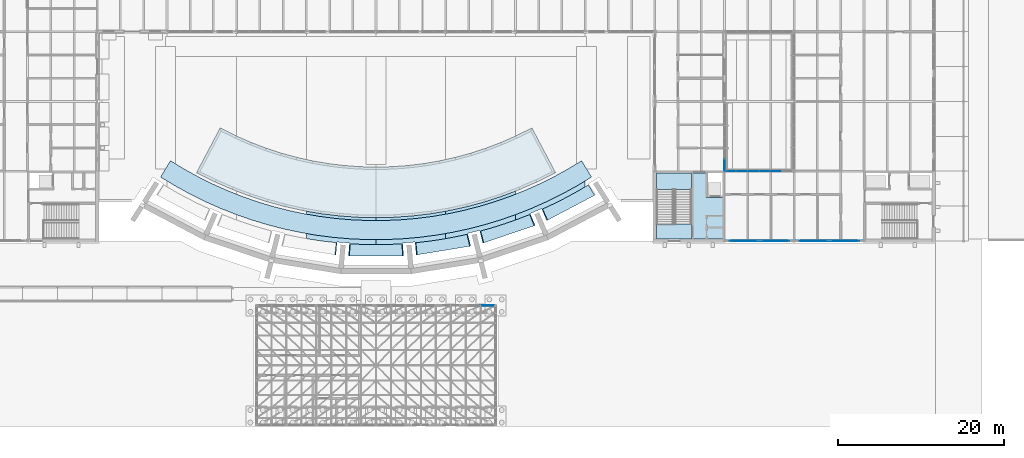
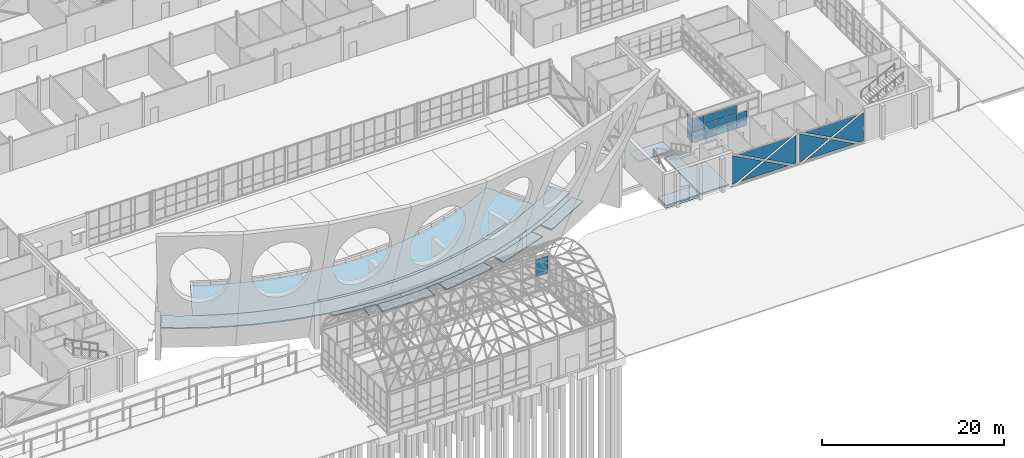
# One storey, part 74 of 116: 26 plates, 17 slabs, 6 elements without a shape of their own.
"""IFC4 building model written with IfcOpenShell, lengths in metres."""

from ifc_helpers import new_model, si_unit, direction, frame, origin, origin_2d, place, context, subcontext, project, spatial, polyline, rectangle, outline, extrude, material, layer, layer_set, type_object, element, aggregate, save


model = new_model("IFC4")

# Units and contexts
model_context = context("Model", 3, precision=1e-05, world=origin(), true_north=direction((0.0, 1.0)))
body_context = subcontext(model_context, "Body", "Model", "MODEL_VIEW")
ifc_project = project(units=[si_unit("LENGTHUNIT", "METRE"), si_unit("AREAUNIT", "SQUARE_METRE"), si_unit("VOLUMEUNIT", "CUBIC_METRE"), si_unit("PLANEANGLEUNIT", "RADIAN"), si_unit("MASSUNIT", "GRAM", prefix="KILO")], contexts=[model_context])

# Site, building, storey
site_placement = place(None, origin())
site = spatial("IfcSite", under=ifc_project, at=site_placement, CompositionType="ELEMENT")
building_placement = place(site_placement, origin())
building = spatial("IfcBuilding", under=site, at=building_placement, Name="Ardhachandra Cancer Care Centre", CompositionType="ELEMENT")
storey_placement = place(building_placement, origin())
storey = spatial("IfcBuildingStorey", under=building, at=storey_placement, Name="L00", CompositionType="ELEMENT", Elevation=0.0)

# Slabs
ifc_material_1 = material(Name="Concrete M40", Category="concrete")
ifc_layer_1 = layer(ifc_material_1, 0.14990234375)
ifc_layer_set_1 = layer_set([ifc_layer_1], Name="Concrete M40")
slab_type_1 = type_object("IfcSlabType", Name="Core floor slab 150", PredefinedType="FLOOR", material=ifc_layer_set_1)
slab_1_placement = place(storey_placement, frame((0.0, 0.0, -0.14990234375)))
element("IfcSlab", 1, at=slab_1_placement, inside=storey, type_object=slab_type_1, Name="Core floor slab K11 L00 1", PredefinedType="FLOOR", context=body_context, shape_type="SweptSolid", body=[
    extrude(outline(polyline([(111.824951171875, 31.39990234375), (116.02490234375, 31.39990234375), (116.02490234375, 29.625), (111.824951171875, 29.625), (111.824951171875, 31.39990234375)])), origin(), (0.0, 0.0, 1.0), 0.14990234375),
])
slab_2_placement = place(storey_placement, frame((0.0, 0.0, -0.14990234375)))
element("IfcSlab", 2, at=slab_2_placement, inside=storey, type_object=slab_type_1, Name="Core floor slab K11 L00 2", PredefinedType="FLOOR", context=body_context, shape_type="SweptSolid", body=[
    extrude(outline(polyline([(116.22509765625, 29.625), (116.22509765625, 37.60009765625), (117.75, 37.60009765625), (117.75, 34.64990234375), (117.949951171875, 34.64990234375), (119.800048828125, 34.64990234375), (119.800048828125, 29.625), (116.22509765625, 29.625)])), origin(), (0.0, 0.0, 1.0), 0.14990234375),
])
ifc_material_2 = material(Name="Concrete M40", Category="concrete")
ifc_layer_2 = layer(ifc_material_2, 0.300048828125)
ifc_layer_set_2 = layer_set([ifc_layer_2], Name="Concrete M40")
slab_type_2 = type_object("IfcSlabType", Name="Core stair edge slab 300", PredefinedType="FLOOR", material=ifc_layer_set_2)
slab_3_placement = place(storey_placement, frame((0.0, 0.0, -0.449951171875)))
element("IfcSlab", 3, at=slab_3_placement, inside=storey, type_object=slab_type_2, Name="Core stair edge slab K11 L00", PredefinedType="FLOOR", context=body_context, shape_type="SweptSolid", body=[
    extrude(outline(polyline([(116.02490234375, 31.39990234375), (116.02490234375, 29.625), (111.824951171875, 29.625), (111.824951171875, 31.39990234375), (116.02490234375, 31.39990234375)])), origin(), (0.0, 0.0, 1.0), 0.300048828125),
])

# Curtain wall, plates
ifc_material_3 = material(Name="Aluminium extrusion", Category="aluminium")
ifc_layer_3 = layer(ifc_material_3, 0.14990234375)
ifc_layer_set_3 = layer_set([ifc_layer_3], Name="Aluminium extrusion")
curtain_wall_type = type_object("IfcCurtainWallType", Name="Curtain wall run", PredefinedType="NOTDEFINED", material=ifc_layer_set_3)
curtain_wall_1_placement = place(storey_placement, origin())
curtain_wall_1 = element("IfcCurtainWall", 4, at=curtain_wall_1_placement, inside=storey, type_object=curtain_wall_type, Name="Curtain wall L00 e/0120000_0037800", PredefinedType="NOTDEFINED")
ifc_material_4 = material(Name="Low-iron double-glazed unit")
ifc_layer_4 = layer(ifc_material_4, 0.028076171875)
ifc_layer_set_4 = layer_set([ifc_layer_4], Name="Low-iron double-glazed unit")
plate_type_1 = type_object("IfcPlateType", Name="Curtain wall glazing 28", PredefinedType="CURTAIN_PANEL", material=ifc_layer_set_4)
plate_1_placement = place(storey_placement, frame((120.0, 38.50244140625, 1.3798828125), z_axis=(0.0, 0.0, 1.0), x_axis=(0.0, 1.0, 0.0)))
plate_1 = element("IfcPlate", 5, at=plate_1_placement, type_object=plate_type_1, Name="CW panel 1.2", PredefinedType="CURTAIN_PANEL", context=body_context, shape_type="SweptSolid", body=[
    extrude(rectangle(XDim=1.284912109375, YDim=0.028076171875, at=origin_2d()), origin(), (0.0, 0.0, 1.0), 1.139892578125),
])
plate_2_placement = place(storey_placement, frame((120.0, 38.50244140625, 2.580078125), z_axis=(0.0, 0.0, 1.0), x_axis=(0.0, 1.0, 0.0)))
plate_2 = element("IfcPlate", 6, at=plate_2_placement, type_object=plate_type_1, Name="CW panel 1.3", PredefinedType="CURTAIN_PANEL", context=body_context, shape_type="SweptSolid", body=[
    extrude(rectangle(XDim=1.284912109375, YDim=0.028076171875, at=origin_2d()), origin(), (0.0, 0.0, 1.0), 1.159912109375),
])

curtain_wall_2_placement = place(storey_placement, origin())
curtain_wall_2 = element("IfcCurtainWall", 7, at=curtain_wall_2_placement, inside=storey, type_object=curtain_wall_type, Name="Curtain wall L00 n/0120000_0037800", PredefinedType="NOTDEFINED")
plate_3_placement = place(storey_placement, frame((120.702392578125, 37.800048828125, 1.3798828125), z_axis=(0.0, 0.0, 1.0), x_axis=(1.0, 0.0, 0.0)))
plate_3 = element("IfcPlate", 8, at=plate_3_placement, type_object=plate_type_1, Name="CW panel 1.2", PredefinedType="CURTAIN_PANEL", context=body_context, shape_type="SweptSolid", body=[
    extrude(rectangle(XDim=1.284912109375, YDim=0.028076171875, at=origin_2d()), origin(), (0.0, 0.0, 1.0), 1.139892578125),
])
plate_4_placement = place(storey_placement, frame((120.702392578125, 37.800048828125, 2.580078125), z_axis=(0.0, 0.0, 1.0), x_axis=(1.0, 0.0, 0.0)))
plate_4 = element("IfcPlate", 9, at=plate_4_placement, type_object=plate_type_1, Name="CW panel 1.3", PredefinedType="CURTAIN_PANEL", context=body_context, shape_type="SweptSolid", body=[
    extrude(rectangle(XDim=1.284912109375, YDim=0.028076171875, at=origin_2d()), origin(), (0.0, 0.0, 1.0), 1.159912109375),
])
plate_5_placement = place(storey_placement, frame((122.0625, 37.800048828125, 1.3798828125), z_axis=(0.0, 0.0, 1.0), x_axis=(1.0, 0.0, 0.0)))
plate_5 = element("IfcPlate", 10, at=plate_5_placement, type_object=plate_type_1, Name="CW panel 2.2", PredefinedType="CURTAIN_PANEL", context=body_context, shape_type="SweptSolid", body=[
    extrude(rectangle(XDim=1.31494140625, YDim=0.028076171875, at=origin_2d()), origin(), (0.0, 0.0, 1.0), 1.139892578125),
])
plate_6_placement = place(storey_placement, frame((122.0625, 37.800048828125, 2.580078125), z_axis=(0.0, 0.0, 1.0), x_axis=(1.0, 0.0, 0.0)))
plate_6 = element("IfcPlate", 11, at=plate_6_placement, type_object=plate_type_1, Name="CW panel 2.3", PredefinedType="CURTAIN_PANEL", context=body_context, shape_type="SweptSolid", body=[
    extrude(rectangle(XDim=1.31494140625, YDim=0.028076171875, at=origin_2d()), origin(), (0.0, 0.0, 1.0), 1.159912109375),
])
plate_7_placement = place(storey_placement, frame((123.4375, 37.800048828125, 1.3798828125), z_axis=(0.0, 0.0, 1.0), x_axis=(1.0, 0.0, 0.0)))
plate_7 = element("IfcPlate", 12, at=plate_7_placement, type_object=plate_type_1, Name="CW panel 3.2", PredefinedType="CURTAIN_PANEL", context=body_context, shape_type="SweptSolid", body=[
    extrude(rectangle(XDim=1.31494140625, YDim=0.028076171875, at=origin_2d()), origin(), (0.0, 0.0, 1.0), 1.139892578125),
])
plate_8_placement = place(storey_placement, frame((123.4375, 37.800048828125, 2.580078125), z_axis=(0.0, 0.0, 1.0), x_axis=(1.0, 0.0, 0.0)))
plate_8 = element("IfcPlate", 13, at=plate_8_placement, type_object=plate_type_1, Name="CW panel 3.3", PredefinedType="CURTAIN_PANEL", context=body_context, shape_type="SweptSolid", body=[
    extrude(rectangle(XDim=1.31494140625, YDim=0.028076171875, at=origin_2d()), origin(), (0.0, 0.0, 1.0), 1.159912109375),
])
plate_9_placement = place(storey_placement, frame((124.8125, 37.800048828125, 1.3798828125), z_axis=(0.0, 0.0, 1.0), x_axis=(1.0, 0.0, 0.0)))
plate_9 = element("IfcPlate", 14, at=plate_9_placement, type_object=plate_type_1, Name="CW panel 4.2", PredefinedType="CURTAIN_PANEL", context=body_context, shape_type="SweptSolid", body=[
    extrude(rectangle(XDim=1.31494140625, YDim=0.028076171875, at=origin_2d()), origin(), (0.0, 0.0, 1.0), 1.139892578125),
])
plate_10_placement = place(storey_placement, frame((124.8125, 37.800048828125, 2.580078125), z_axis=(0.0, 0.0, 1.0), x_axis=(1.0, 0.0, 0.0)))
plate_10 = element("IfcPlate", 15, at=plate_10_placement, type_object=plate_type_1, Name="CW panel 4.3", PredefinedType="CURTAIN_PANEL", context=body_context, shape_type="SweptSolid", body=[
    extrude(rectangle(XDim=1.31494140625, YDim=0.028076171875, at=origin_2d()), origin(), (0.0, 0.0, 1.0), 1.159912109375),
])
plate_11_placement = place(storey_placement, frame((126.1875, 37.800048828125, 1.3798828125), z_axis=(0.0, 0.0, 1.0), x_axis=(1.0, 0.0, 0.0)))
plate_11 = element("IfcPlate", 16, at=plate_11_placement, type_object=plate_type_1, Name="CW panel 5.2", PredefinedType="CURTAIN_PANEL", context=body_context, shape_type="SweptSolid", body=[
    extrude(rectangle(XDim=1.31494140625, YDim=0.028076171875, at=origin_2d()), origin(), (0.0, 0.0, 1.0), 1.139892578125),
])

curtain_wall_3_placement = place(storey_placement, origin())
curtain_wall_3 = element("IfcCurtainWall", 17, at=curtain_wall_3_placement, inside=storey, type_object=curtain_wall_type, Name="Curtain wall L00 s/0120000_0029400", PredefinedType="NOTDEFINED")
plate_12_placement = place(storey_placement, frame((128.18994140625, 29.39990234375, 3.7900390625), z_axis=(0.0, 1.0, 0.0), x_axis=(0.0, 0.0, -1.0)))
plate_12 = element("IfcPlate", 18, at=plate_12_placement, type_object=plate_type_1, Name="CW panel 1.1", PredefinedType="CURTAIN_PANEL", context=body_context, shape_type="SweptSolid", body=[
    extrude(outline(polyline([(0.0, 0.0), (3.72998046875, 0.0), (3.72998046875, 0.357421875), (1.93994140625, 3.69873046875), (0.0, 0.077392578125), (0.0, 0.0)])), origin(), (0.0, 0.0, 1.0), 0.028076171875),
])
plate_13_placement = place(storey_placement, frame((127.5302734375, 29.39990234375, 3.7900390625), z_axis=(0.0, 1.0, 0.0), x_axis=(-0.881498222146, 0.0, -0.472187340314)))
plate_13 = element("IfcPlate", 19, at=plate_13_placement, type_object=plate_type_1, Name="CW panel 1.1", PredefinedType="CURTAIN_PANEL", context=body_context, shape_type="SweptSolid", body=[
    extrude(outline(polyline([(0.0, 0.0), (3.778076171875, 0.0), (5.87109375, 3.14501953125), (0.0, 0.0)])), frame((0.0, 0.0, -0.028076171875)), (0.0, 0.0, 1.0), 0.028076171875),
])
plate_14_placement = place(storey_placement, frame((120.06005859375, 29.39990234375, 0.06005859375), z_axis=(0.0, 1.0, 0.0), x_axis=(0.0, 0.0, 1.0)))
plate_14 = element("IfcPlate", 20, at=plate_14_placement, type_object=plate_type_1, Name="CW panel 1.1", PredefinedType="CURTAIN_PANEL", context=body_context, shape_type="SweptSolid", body=[
    extrude(outline(polyline([(0.0, 0.0), (3.72998046875, 0.0), (3.72998046875, 0.2275390625), (1.7900390625, 3.848876953125), (0.0, 0.50732421875), (0.0, 0.0)])), origin(), (0.0, 0.0, 1.0), 0.028076171875),
])
plate_15_placement = place(storey_placement, frame((121.14990234375, 29.39990234375, 0.06005859375), z_axis=(0.0, 1.0, 0.0), x_axis=(0.881470529599, 0.0, 0.472239034228)))
plate_15 = element("IfcPlate", 21, at=plate_15_placement, type_object=plate_type_1, Name="CW panel 1.1", PredefinedType="CURTAIN_PANEL", context=body_context, shape_type="SweptSolid", body=[
    extrude(outline(polyline([(0.0, 0.0), (3.460205078125, 0.0), (5.377197265625, 2.880859375), (0.0, 0.0)])), frame((0.0, 0.0, -0.028076171875)), (0.0, 0.0, 1.0), 0.028076171875),
])
aggregate(curtain_wall_3, [plate_12, plate_13, plate_14, plate_15])

curtain_wall_4_placement = place(storey_placement, origin())
curtain_wall_4 = element("IfcCurtainWall", 22, at=curtain_wall_4_placement, inside=storey, type_object=curtain_wall_type, Name="Curtain wall L00 s/0128400_0029400", PredefinedType="NOTDEFINED")
plate_16_placement = place(storey_placement, frame((136.739990234375, 29.39990234375, 3.7900390625), z_axis=(0.0, 1.0, 0.0), x_axis=(0.0, 0.0, -1.0)))
plate_16 = element("IfcPlate", 23, at=plate_16_placement, type_object=plate_type_1, Name="CW panel 1.1", PredefinedType="CURTAIN_PANEL", context=body_context, shape_type="SweptSolid", body=[
    extrude(outline(polyline([(0.0, 0.0), (3.72998046875, 0.0), (3.72998046875, 0.507568359375), (1.93994140625, 3.848876953125), (0.0, 0.2275390625), (0.0, 0.0)])), origin(), (0.0, 0.0, 1.0), 0.028076171875),
])
plate_17_placement = place(storey_placement, frame((135.93017578125, 29.39990234375, 3.7900390625), z_axis=(0.0, 1.0, 0.0), x_axis=(-0.881483812908, 0.0, -0.47221423907)))
plate_17 = element("IfcPlate", 24, at=plate_17_placement, type_object=plate_type_1, Name="CW panel 1.1", PredefinedType="CURTAIN_PANEL", context=body_context, shape_type="SweptSolid", body=[
    extrude(outline(polyline([(0.0, 0.0), (3.77783203125, 0.0), (5.87109375, 3.14501953125), (0.0, 0.0)])), frame((0.0, 0.0, -0.028076171875)), (0.0, 0.0, 1.0), 0.028076171875),
])
plate_18_placement = place(storey_placement, frame((128.610107421875, 29.39990234375, 0.06005859375), z_axis=(0.0, 1.0, 0.0), x_axis=(0.0, 0.0, 1.0)))
plate_18 = element("IfcPlate", 25, at=plate_18_placement, type_object=plate_type_1, Name="CW panel 1.1", PredefinedType="CURTAIN_PANEL", context=body_context, shape_type="SweptSolid", body=[
    extrude(outline(polyline([(0.0, 0.0), (3.72998046875, 0.0), (3.72998046875, 0.077392578125), (1.7900390625, 3.69873046875), (0.0, 0.357421875), (0.0, 0.0)])), origin(), (0.0, 0.0, 1.0), 0.028076171875),
])
plate_19_placement = place(storey_placement, frame((129.5498046875, 29.39990234375, 0.06005859375), z_axis=(0.0, 1.0, 0.0), x_axis=(0.881486263061, 0.0, 0.472209665333)))
plate_19 = element("IfcPlate", 26, at=plate_19_placement, type_object=plate_type_1, Name="CW panel 1.1", PredefinedType="CURTAIN_PANEL", context=body_context, shape_type="SweptSolid", body=[
    extrude(outline(polyline([(0.0, 0.0), (3.46044921875, 0.0), (5.37744140625, 2.880615234375), (0.0, 0.0)])), frame((0.0, 0.0, -0.028076171875)), (0.0, 0.0, 1.0), 0.028076171875),
])
aggregate(curtain_wall_4, [plate_16, plate_17, plate_18, plate_19])

# Curtain wall, plate
curtain_wall_5_placement = place(storey_placement, origin())
curtain_wall_5 = element("IfcCurtainWall", 27, at=curtain_wall_5_placement, inside=storey, type_object=curtain_wall_type, Name="Curtain wall L00 n/0088800_0021600", PredefinedType="NOTDEFINED")
plate_20_placement = place(storey_placement, frame((91.427490234375, 21.60009765625, 2.72998046875), z_axis=(0.0, 0.0, 1.0), x_axis=(1.0, 0.0, 0.0)))
plate_20 = element("IfcPlate", 28, at=plate_20_placement, type_object=plate_type_1, Name="CW panel 2.3", PredefinedType="CURTAIN_PANEL", context=body_context, shape_type="SweptSolid", body=[
    extrude(rectangle(XDim=1.594970703125, YDim=0.028076171875, at=origin_2d()), origin(), (0.0, 0.0, 1.0), 2.260009765625),
])
aggregate(curtain_wall_5, [plate_20])

# Plate
ifc_material_5 = material(Name="Aluminium composite spandrel panel", Category="aluminium")
ifc_layer_5 = layer(ifc_material_5, 0.028076171875)
ifc_layer_set_5 = layer_set([ifc_layer_5], Name="Aluminium composite spandrel panel")
plate_type_2 = type_object("IfcPlateType", Name="Curtain wall spandrel panel 28", PredefinedType="CURTAIN_PANEL", material=ifc_layer_set_5)
plate_21_placement = place(storey_placement, frame((120.0, 38.50244140625, 0.510009765625), z_axis=(0.0, 0.0, 1.0), x_axis=(0.0, 1.0, 0.0)))
plate_21 = element("IfcPlate", 29, at=plate_21_placement, type_object=plate_type_2, Name="CW panel 1.1", PredefinedType="CURTAIN_PANEL", context=body_context, shape_type="SweptSolid", body=[
    extrude(rectangle(XDim=1.284912109375, YDim=0.028076171875, at=origin_2d()), origin(), (0.0, 0.0, 1.0), 0.81005859375),
])

aggregate(curtain_wall_1, [plate_21, plate_1, plate_2])

plate_22_placement = place(storey_placement, frame((120.702392578125, 37.800048828125, 0.510009765625), z_axis=(0.0, 0.0, 1.0), x_axis=(1.0, 0.0, 0.0)))
plate_22 = element("IfcPlate", 30, at=plate_22_placement, type_object=plate_type_2, Name="CW panel 1.1", PredefinedType="CURTAIN_PANEL", context=body_context, shape_type="SweptSolid", body=[
    extrude(rectangle(XDim=1.284912109375, YDim=0.028076171875, at=origin_2d()), origin(), (0.0, 0.0, 1.0), 0.81005859375),
])

plate_23_placement = place(storey_placement, frame((122.0625, 37.800048828125, 0.510009765625), z_axis=(0.0, 0.0, 1.0), x_axis=(1.0, 0.0, 0.0)))
plate_23 = element("IfcPlate", 31, at=plate_23_placement, type_object=plate_type_2, Name="CW panel 2.1", PredefinedType="CURTAIN_PANEL", context=body_context, shape_type="SweptSolid", body=[
    extrude(rectangle(XDim=1.31494140625, YDim=0.028076171875, at=origin_2d()), origin(), (0.0, 0.0, 1.0), 0.81005859375),
])

plate_24_placement = place(storey_placement, frame((123.4375, 37.800048828125, 0.510009765625), z_axis=(0.0, 0.0, 1.0), x_axis=(1.0, 0.0, 0.0)))
plate_24 = element("IfcPlate", 32, at=plate_24_placement, type_object=plate_type_2, Name="CW panel 3.1", PredefinedType="CURTAIN_PANEL", context=body_context, shape_type="SweptSolid", body=[
    extrude(rectangle(XDim=1.31494140625, YDim=0.028076171875, at=origin_2d()), origin(), (0.0, 0.0, 1.0), 0.81005859375),
])

plate_25_placement = place(storey_placement, frame((124.8125, 37.800048828125, 0.510009765625), z_axis=(0.0, 0.0, 1.0), x_axis=(1.0, 0.0, 0.0)))
plate_25 = element("IfcPlate", 33, at=plate_25_placement, type_object=plate_type_2, Name="CW panel 4.1", PredefinedType="CURTAIN_PANEL", context=body_context, shape_type="SweptSolid", body=[
    extrude(rectangle(XDim=1.31494140625, YDim=0.028076171875, at=origin_2d()), origin(), (0.0, 0.0, 1.0), 0.81005859375),
])

plate_26_placement = place(storey_placement, frame((126.1875, 37.800048828125, 0.510009765625), z_axis=(0.0, 0.0, 1.0), x_axis=(1.0, 0.0, 0.0)))
plate_26 = element("IfcPlate", 34, at=plate_26_placement, type_object=plate_type_2, Name="CW panel 5.1", PredefinedType="CURTAIN_PANEL", context=body_context, shape_type="SweptSolid", body=[
    extrude(rectangle(XDim=1.31494140625, YDim=0.028076171875, at=origin_2d()), origin(), (0.0, 0.0, 1.0), 0.81005859375),
])

aggregate(curtain_wall_2, [plate_22, plate_3, plate_4, plate_23, plate_5, plate_6, plate_24, plate_7, plate_8, plate_25, plate_9, plate_10, plate_26, plate_11])

# Slabs
ifc_material_6 = material(Name="Granite", Category="masonry")
ifc_layer_6 = layer(ifc_material_6, 0.14990234375)
ifc_layer_set_6 = layer_set([ifc_layer_6], Name="Granite")
slab_type_3 = type_object("IfcSlabType", Name="Granite court paving 150", PredefinedType="BASESLAB", material=ifc_layer_set_6)
slab_4_placement = place(storey_placement, frame((0.0, 0.0, -0.14990234375)))
element("IfcSlab", 35, at=slab_4_placement, inside=storey, type_object=slab_type_3, Name="Court paving 10", PredefinedType="BASESLAB", context=body_context, shape_type="SweptSolid", body=[
    extrude(outline(polyline([(77.032470703125, 31.849609375), (78.0, 31.849609375), (78.0, 32.18896484375), (75.7783203125, 32.242919921875), (73.56201171875, 32.404541015625), (71.35595703125, 32.67333984375), (69.60009765625, 32.974365234375), (69.60009765625, 32.614990234375), (71.250732421875, 32.33544921875), (73.17041015625, 32.0927734375), (75.098876953125, 31.9306640625), (77.032470703125, 31.849609375)])), origin(), (0.0, 0.0, 1.0), 0.14990234375),
])
slab_5_placement = place(storey_placement, frame((0.0, 0.0, -0.14990234375)))
element("IfcSlab", 36, at=slab_5_placement, inside=storey, type_object=slab_type_3, Name="Court paving 11", PredefinedType="BASESLAB", context=body_context, shape_type="SweptSolid", body=[
    extrude(outline(polyline([(76.44140625, 28.9638671875), (78.0, 28.939208984375), (78.0, 29.549560546875), (77.00830078125, 29.549560546875), (76.960205078125, 29.550537109375), (74.978515625, 29.6337890625), (74.930419921875, 29.63671875), (72.953857421875, 29.802734375), (72.906005859375, 29.807861328125), (70.938232421875, 30.056640625), (70.890380859375, 30.063720703125), (69.60009765625, 30.2822265625), (69.60009765625, 29.669189453125), (70.1005859375, 29.579345703125), (71.64306640625, 29.352783203125), (73.191650390625, 29.17529296875), (73.04736328125, 27.711181640625), (73.1708984375, 27.691162109375), (73.297119140625, 29.249755859375), (74.792236328125, 29.128662109375), (74.666015625, 27.56982421875), (74.790771484375, 27.56982421875), (74.88427734375, 29.0380859375), (76.44140625, 28.9638671875)])), origin(), (0.0, 0.0, 1.0), 0.14990234375),
])
slab_6_placement = place(storey_placement, frame((0.0, 0.0, -0.14990234375)))
element("IfcSlab", 37, at=slab_6_placement, inside=storey, type_object=slab_type_3, Name="Court paving 14", PredefinedType="BASESLAB", context=body_context, shape_type="SweptSolid", body=[
    extrude(outline(polyline([(85.8994140625, 29.579345703125), (86.39990234375, 29.669189453125), (86.39990234375, 30.2822265625), (85.109619140625, 30.063720703125), (85.061767578125, 30.056640625), (83.093994140625, 29.807861328125), (83.046142578125, 29.802734375), (81.069580078125, 29.63671875), (81.021484375, 29.6337890625), (79.039794921875, 29.550537109375), (78.99169921875, 29.549560546875), (78.0, 29.549560546875), (78.0, 28.939208984375), (79.55859375, 28.9638671875), (81.11572265625, 29.0380859375), (81.209228515625, 27.56982421875), (81.333984375, 27.56982421875), (81.207763671875, 29.128662109375), (82.702880859375, 29.249755859375), (82.8291015625, 27.691162109375), (82.95263671875, 27.711181640625), (82.808349609375, 29.17529296875), (84.35693359375, 29.352783203125), (85.8994140625, 29.579345703125)])), origin(), (0.0, 0.0, 1.0), 0.14990234375),
])
slab_7_placement = place(storey_placement, frame((0.0, 0.0, -0.14990234375)))
element("IfcSlab", 38, at=slab_7_placement, inside=storey, type_object=slab_type_3, Name="Court paving 15", PredefinedType="BASESLAB", context=body_context, shape_type="SweptSolid", body=[
    extrude(outline(polyline([(84.749267578125, 32.33544921875), (86.39990234375, 32.614990234375), (86.39990234375, 32.974365234375), (84.64404296875, 32.67333984375), (82.43798828125, 32.404541015625), (80.2216796875, 32.242919921875), (78.0, 32.18896484375), (78.0, 31.849609375), (78.967529296875, 31.849609375), (80.901123046875, 31.9306640625), (82.82958984375, 32.0927734375), (84.749267578125, 32.33544921875)])), origin(), (0.0, 0.0, 1.0), 0.14990234375),
])
slab_8_placement = place(storey_placement, frame((0.0, 0.0, -0.14990234375)))
element("IfcSlab", 39, at=slab_8_placement, inside=storey, type_object=slab_type_3, Name="Court paving 19", PredefinedType="BASESLAB", context=body_context, shape_type="SweptSolid", body=[
    extrude(outline(polyline([(93.592529296875, 31.48291015625), (94.800048828125, 31.9091796875), (94.800048828125, 32.54638671875), (93.01123046875, 31.9228515625), (92.96533203125, 31.907958984375), (91.06689453125, 31.334228515625), (91.020263671875, 31.3212890625), (89.099365234375, 30.82763671875), (89.052490234375, 30.816650390625), (87.112548828125, 30.40380859375), (87.065185546875, 30.394775390625), (86.39990234375, 30.2822265625), (86.39990234375, 29.669189453125), (87.43359375, 29.854736328125), (88.95849609375, 30.1787109375), (89.287109375, 28.74462890625), (86.39990234375, 28.273681640625), (89.410400390625, 28.7646484375), (89.03466796875, 30.28271484375), (90.49072265625, 30.64306640625), (90.866455078125, 29.125), (90.98486328125, 29.164794921875), (90.60693359375, 30.586669921875), (92.10693359375, 31.010986328125), (93.592529296875, 31.48291015625)])), origin(), (0.0, 0.0, 1.0), 0.14990234375),
])
slab_9_placement = place(storey_placement, frame((0.0, 0.0, -0.14990234375)))
element("IfcSlab", 40, at=slab_9_placement, inside=storey, type_object=slab_type_3, Name="Court paving 20", PredefinedType="BASESLAB", context=body_context, shape_type="SweptSolid", body=[
    extrude(outline(polyline([(94.104248046875, 34.73974609375), (94.800048828125, 35.015380859375), (94.800048828125, 35.391845703125), (93.260009765625, 34.805419921875), (91.1474609375, 34.1162109375), (89.00390625, 33.5302734375), (86.834228515625, 33.048828125), (86.39990234375, 32.974365234375), (86.39990234375, 32.614990234375), (86.657470703125, 32.658447265625), (88.55029296875, 33.061279296875), (90.424560546875, 33.54296875), (92.27685546875, 34.102783203125), (94.104248046875, 34.73974609375)])), origin(), (0.0, 0.0, 1.0), 0.14990234375),
])
slab_10_placement = place(storey_placement, frame((0.0, 0.0, -0.14990234375)))
element("IfcSlab", 41, at=slab_10_placement, inside=storey, type_object=slab_type_3, Name="Court paving 23", PredefinedType="BASESLAB", context=body_context, shape_type="SweptSolid", body=[
    extrude(outline(polyline([(98.076416015625, 33.235107421875), (99.488525390625, 33.8955078125), (100.87890625, 34.600341796875), (102.24609375, 35.34912109375), (103.199951171875, 35.91162109375), (103.199951171875, 36.61865234375), (102.271240234375, 36.055419921875), (102.2294921875, 36.031494140625), (100.49169921875, 35.074951171875), (100.448974609375, 35.052734375), (98.6728515625, 34.170166015625), (98.629150390625, 34.1494140625), (96.817626953125, 33.342041015625), (96.773193359375, 33.323486328125), (94.92919921875, 32.592529296875), (94.884033203125, 32.575927734375), (94.800048828125, 32.54638671875), (94.800048828125, 31.9091796875), (95.0625, 32.001708984375), (96.51513671875, 32.567138671875), (97.0703125, 31.20458984375), (96.295166015625, 30.94482421875), (97.18896484375, 31.244384765625), (96.57373046875, 32.681884765625), (97.952880859375, 33.27197265625), (98.56787109375, 31.834228515625), (98.678466796875, 31.892578125), (98.076416015625, 33.235107421875)])), origin(), (0.0, 0.0, 1.0), 0.14990234375),
])
ifc_material_7 = material(Name="Granite", Category="masonry")
ifc_layer_7 = layer(ifc_material_7, 0.14990234375)
ifc_layer_set_7 = layer_set([ifc_layer_7], Name="Granite")
slab_type_4 = type_object("IfcSlabType", Name="Granite path paving 150", PredefinedType="BASESLAB", material=ifc_layer_set_7)
slab_11_placement = place(storey_placement, frame((0.0, 0.0, -0.14990234375)))
element("IfcSlab", 42, at=slab_11_placement, inside=storey, type_object=slab_type_4, Name="Path paving 2", PredefinedType="BASESLAB", context=body_context, shape_type="SweptSolid", body=[
    extrude(outline(polyline([(56.595947265625, 37.101806640625), (54.900634765625, 38.03466796875), (53.225341796875, 39.050537109375), (52.03271484375, 37.083740234375), (53.728759765625, 36.055419921875), (53.7705078125, 36.031494140625), (55.50830078125, 35.074951171875), (55.551025390625, 35.052734375), (57.3271484375, 34.170166015625), (57.370849609375, 34.1494140625), (59.182373046875, 33.342041015625), (59.226806640625, 33.323486328125), (61.07080078125, 32.592529296875), (61.115966796875, 32.575927734375), (62.98876953125, 31.9228515625), (63.03466796875, 31.907958984375), (64.93310546875, 31.334228515625), (64.979736328125, 31.3212890625), (66.900634765625, 30.82763671875), (66.947509765625, 30.816650390625), (68.887451171875, 30.40380859375), (68.934814453125, 30.394775390625), (70.890380859375, 30.063720703125), (70.938232421875, 30.056640625), (72.906005859375, 29.807861328125), (72.953857421875, 29.802734375), (74.930419921875, 29.63671875), (74.978515625, 29.6337890625), (76.960205078125, 29.550537109375), (77.00830078125, 29.549560546875), (78.99169921875, 29.549560546875), (79.039794921875, 29.550537109375), (81.021484375, 29.6337890625), (81.069580078125, 29.63671875), (83.046142578125, 29.802734375), (83.093994140625, 29.807861328125), (85.061767578125, 30.056640625), (85.109619140625, 30.063720703125), (87.065185546875, 30.394775390625), (87.112548828125, 30.40380859375), (89.052490234375, 30.816650390625), (89.099365234375, 30.82763671875), (91.020263671875, 31.3212890625), (91.06689453125, 31.334228515625), (92.96533203125, 31.907958984375), (93.01123046875, 31.9228515625), (94.884033203125, 32.575927734375), (94.92919921875, 32.592529296875), (96.773193359375, 33.323486328125), (96.817626953125, 33.342041015625), (98.629150390625, 34.1494140625), (98.6728515625, 34.170166015625), (100.448974609375, 35.052734375), (100.49169921875, 35.074951171875), (102.2294921875, 36.031494140625), (102.271240234375, 36.055419921875), (103.96728515625, 37.083740234375), (102.774658203125, 39.050537109375), (101.099365234375, 38.03466796875), (99.404052734375, 37.101806640625), (97.6708984375, 36.240478515625), (95.9033203125, 35.45263671875), (94.104248046875, 34.73974609375), (92.27685546875, 34.102783203125), (90.424560546875, 33.54296875), (88.55029296875, 33.061279296875), (86.657470703125, 32.658447265625), (84.749267578125, 32.33544921875), (82.82958984375, 32.0927734375), (80.901123046875, 31.9306640625), (78.967529296875, 31.849609375), (77.032470703125, 31.849609375), (75.098876953125, 31.9306640625), (73.17041015625, 32.0927734375), (71.250732421875, 32.33544921875), (69.342529296875, 32.658447265625), (67.44970703125, 33.061279296875), (65.575439453125, 33.54296875), (63.72314453125, 34.102783203125), (61.895751953125, 34.73974609375), (60.0966796875, 35.45263671875), (58.3291015625, 36.240478515625), (56.595947265625, 37.101806640625)])), origin(), (0.0, 0.0, 1.0), 0.14990234375),
])
ifc_material_8 = material(Name="Planting soil")
ifc_layer_8 = layer(ifc_material_8, 0.14990234375)
ifc_layer_set_8 = layer_set([ifc_layer_8], Name="Planting soil")
slab_type_5 = type_object("IfcSlabType", Name="Planting bed 150", PredefinedType="BASESLAB", material=ifc_layer_set_8)
slab_12_placement = place(storey_placement, frame((0.0, 0.0, -0.14990234375)))
element("IfcSlab", 43, at=slab_12_placement, inside=storey, type_object=slab_type_5, Name="Planting bed 5", PredefinedType="BASESLAB", context=body_context, shape_type="SweptSolid", body=[
    extrude(outline(polyline([(74.88427734375, 29.0380859375), (74.790771484375, 27.56982421875), (81.209228515625, 27.56982421875), (81.11572265625, 29.0380859375), (79.55859375, 28.9638671875), (78.0, 28.939208984375), (76.44140625, 28.9638671875), (74.88427734375, 29.0380859375)])), origin(), (0.0, 0.0, 1.0), 0.14990234375),
])
slab_13_placement = place(storey_placement, frame((0.0, 0.0, -0.14990234375)))
element("IfcSlab", 44, at=slab_13_placement, inside=storey, type_object=slab_type_5, Name="Planting bed 6", PredefinedType="BASESLAB", context=body_context, shape_type="SweptSolid", body=[
    extrude(outline(polyline([(82.808349609375, 29.17529296875), (82.95263671875, 27.711181640625), (89.287109375, 28.74462890625), (88.95849609375, 30.1787109375), (87.43359375, 29.854736328125), (85.8994140625, 29.579345703125), (84.35693359375, 29.352783203125), (82.808349609375, 29.17529296875)])), origin(), (0.0, 0.0, 1.0), 0.14990234375),
])
slab_14_placement = place(storey_placement, frame((0.0, 0.0, -0.14990234375)))
element("IfcSlab", 45, at=slab_14_placement, inside=storey, type_object=slab_type_5, Name="Planting bed 7", PredefinedType="BASESLAB", context=body_context, shape_type="SweptSolid", body=[
    extrude(outline(polyline([(90.60693359375, 30.586669921875), (90.98486328125, 29.164794921875), (97.0703125, 31.20458984375), (96.51513671875, 32.567138671875), (95.0625, 32.001708984375), (93.592529296875, 31.48291015625), (92.10693359375, 31.010986328125), (90.60693359375, 30.586669921875)])), origin(), (0.0, 0.0, 1.0), 0.14990234375),
])
slab_15_placement = place(storey_placement, frame((0.0, 0.0, -0.14990234375)))
element("IfcSlab", 46, at=slab_15_placement, inside=storey, type_object=slab_type_5, Name="Planting bed 8", PredefinedType="BASESLAB", context=body_context, shape_type="SweptSolid", body=[
    extrude(outline(polyline([(98.076416015625, 33.235107421875), (98.678466796875, 31.892578125), (104.356201171875, 34.8857421875), (103.5888671875, 36.140869140625), (102.24609375, 35.34912109375), (100.87890625, 34.600341796875), (99.488525390625, 33.8955078125), (98.076416015625, 33.235107421875)])), origin(), (0.0, 0.0, 1.0), 0.14990234375),
])
ifc_material_9 = material(Name="Concrete M40", Category="concrete")
ifc_layer_9 = layer(ifc_material_9, 0.14990234375)
ifc_layer_set_9 = layer_set([ifc_layer_9], Name="Concrete M40")
slab_type_6 = type_object("IfcSlabType", Name="Pool basin floor 150", PredefinedType="BASESLAB", material=ifc_layer_set_9)
slab_16_placement = place(storey_placement, frame((0.0, 0.0, -0.60009765625)))
element("IfcSlab", 47, at=slab_16_placement, inside=storey, type_object=slab_type_6, Name="Reflecting pool basin floor", PredefinedType="BASESLAB", context=body_context, shape_type="SweptSolid", body=[
    extrude(outline(polyline([(56.367919921875, 37.608642578125), (58.627197265625, 36.487060546875), (60.6630859375, 35.59619140625), (62.739990234375, 34.805419921875), (64.8525390625, 34.1162109375), (66.99609375, 33.5302734375), (69.165771484375, 33.048828125), (71.35595703125, 32.67333984375), (73.56201171875, 32.404541015625), (75.7783203125, 32.242919921875), (78.0, 32.18896484375), (80.2216796875, 32.242919921875), (82.43798828125, 32.404541015625), (84.64404296875, 32.67333984375), (86.834228515625, 33.048828125), (89.00390625, 33.5302734375), (91.1474609375, 34.1162109375), (93.260009765625, 34.805419921875), (95.3369140625, 35.59619140625), (97.372802734375, 36.487060546875), (99.632080078125, 37.608642578125), (96.787353515625, 43.005126953125), (94.793212890625, 42.014892578125), (93.0283203125, 41.24267578125), (91.22802734375, 40.55712890625), (89.396728515625, 39.959716796875), (87.53857421875, 39.451904296875), (85.657958984375, 39.03466796875), (83.75927734375, 38.708984375), (81.846923828125, 38.47607421875), (79.92578125, 38.3359375), (78.0, 38.289306640625), (76.07421875, 38.3359375), (74.153076171875, 38.47607421875), (72.24072265625, 38.708984375), (70.342041015625, 39.03466796875), (68.46142578125, 39.451904296875), (66.603271484375, 39.959716796875), (64.77197265625, 40.55712890625), (62.9716796875, 41.24267578125), (61.206787109375, 42.014892578125), (59.212646484375, 43.005126953125), (56.367919921875, 37.608642578125)])), origin(), (0.0, 0.0, 1.0), 0.150146484375),
])

# Stair, slab
ifc_material_10 = material(Name="Concrete M40", Category="concrete")
stair_type = type_object("IfcStairType", Name="Dog-leg stair 2000", PredefinedType="HALF_TURN_STAIR", material=ifc_material_10)
stair_placement = place(storey_placement, origin())
stair = element("IfcStair", 48, at=stair_placement, inside=storey, type_object=stair_type, Name="Stair K11 L00-L01", PredefinedType="HALF_TURN_STAIR")
ifc_material_11 = material(Name="Concrete M40", Category="concrete")
ifc_layer_10 = layer(ifc_material_11, 0.199951171875)
ifc_layer_set_10 = layer_set([ifc_layer_10], Name="Concrete M40")
slab_type_7 = type_object("IfcSlabType", Name="Stair landing 200", PredefinedType="LANDING", material=ifc_layer_set_10)
slab_17_placement = place(storey_placement, frame((0.0, 0.0, 2.050048828125)))
slab_17 = element("IfcSlab", 49, at=slab_17_placement, type_object=slab_type_7, Name="stair K11 L00-L01 landing 1", PredefinedType="LANDING", context=body_context, shape_type="SweptSolid", body=[
    extrude(outline(polyline([(111.824951171875, 35.60009765625), (116.02490234375, 35.60009765625), (116.02490234375, 37.60009765625), (111.824951171875, 37.60009765625), (111.824951171875, 35.60009765625)])), origin(), (0.0, 0.0, 1.0), 0.199951171875),
])
aggregate(stair, [slab_17])

save(model, "model.ifc")
